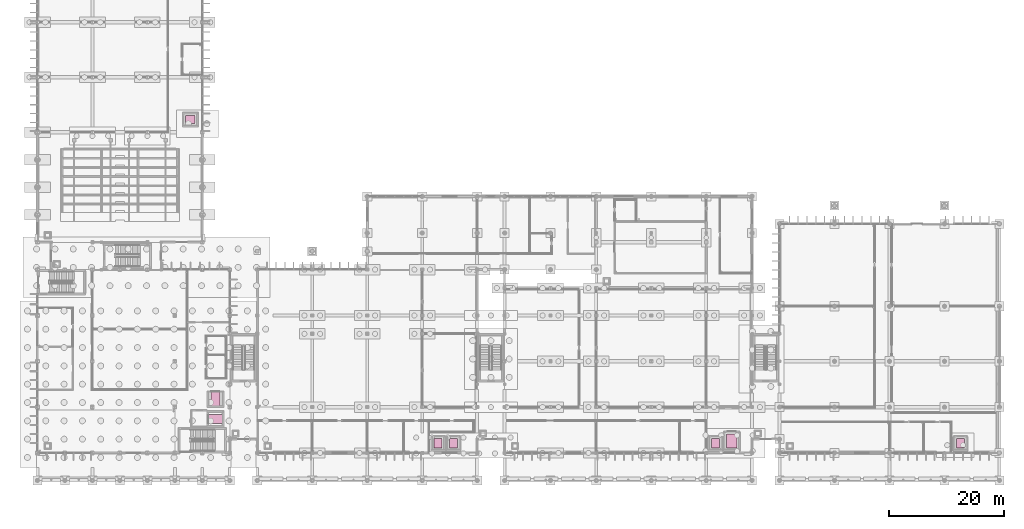
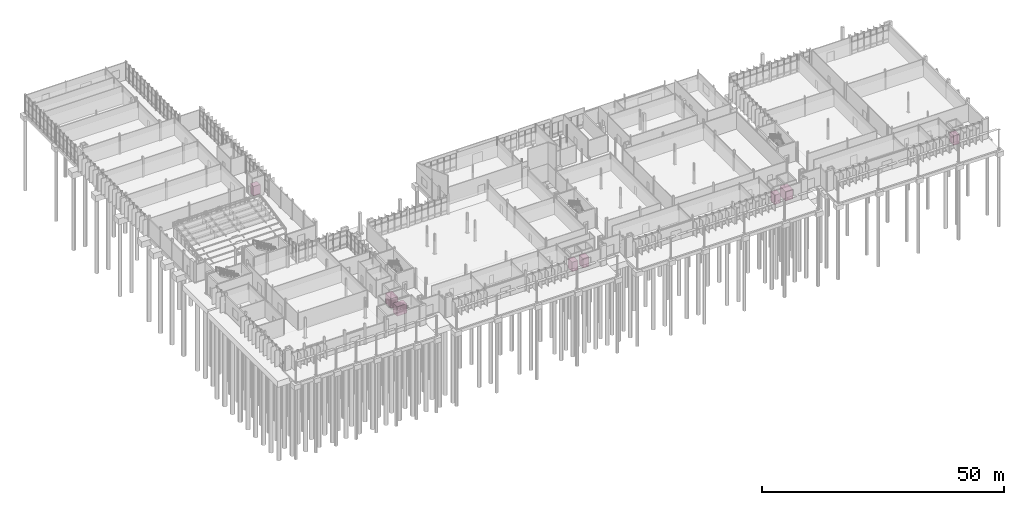
# One storey, part 111 of 111: 8 transport elements.
"""IFC4 building model written with IfcOpenShell, lengths in metres."""

from ifc_helpers import new_model, si_unit, direction, frame, origin, origin_2d, place, context, subcontext, project, spatial, rectangle, extrude, material, type_object, element, save


model = new_model("IFC4")

# Units and contexts
model_context = context("Model", 3, precision=1e-05, world=origin(), true_north=direction((0.0, 1.0)))
body_context = subcontext(model_context, "Body", "Model", "MODEL_VIEW")
ifc_project = project(units=[si_unit("LENGTHUNIT", "METRE"), si_unit("AREAUNIT", "SQUARE_METRE"), si_unit("VOLUMEUNIT", "CUBIC_METRE"), si_unit("PLANEANGLEUNIT", "RADIAN"), si_unit("MASSUNIT", "GRAM", prefix="KILO")], contexts=[model_context])

# Site, building, storey
site_placement = place(None, origin())
site = spatial("IfcSite", under=ifc_project, at=site_placement, CompositionType="ELEMENT")
building_placement = place(site_placement, origin())
building = spatial("IfcBuilding", under=site, at=building_placement, Name="Dunescarp Central Library", CompositionType="ELEMENT")
storey_placement = place(building_placement, origin())
storey = spatial("IfcBuildingStorey", under=building, at=storey_placement, Name="L00", CompositionType="ELEMENT", Elevation=0.0)

# Transport elements
ifc_material = material(Name="Stainless steel Grade 316L", Category="steel")
transport_element_type_1 = type_object("IfcTransportElementType", Name="ARC-LIFT-FFL", PredefinedType="ELEVATOR", material=ifc_material)
transport_element_1_placement = place(storey_placement, frame((31.10009765625, 10.699951171875, 0.0), z_axis=(0.0, 0.0, 1.0), x_axis=(0.0, 1.0, 0.0)))
element("IfcTransportElement", 1, at=transport_element_1_placement, inside=storey, type_object=transport_element_type_1, Name="Firefighting lift FFL-1", PredefinedType="ELEVATOR", context=body_context, shape_type="SweptSolid", body=[
    extrude(rectangle(XDim=1.60009765625, YDim=2.39990234375, at=origin_2d()), origin(), (0.0, 0.0, 1.0), 2.39990234375),
])
transport_element_type_2 = type_object("IfcTransportElementType", Name="ARC-LIFT-GOODS", PredefinedType="ELEVATOR", material=ifc_material)
transport_element_2_placement = place(storey_placement, frame((121.25, 6.89990234375, 0.0), z_axis=(0.0, 0.0, 1.0), x_axis=(1.0, 0.0, 0.0)))
element("IfcTransportElement", 2, at=transport_element_2_placement, inside=storey, type_object=transport_element_type_2, Name="Passenger lift BL-1", PredefinedType="ELEVATOR", context=body_context, shape_type="SweptSolid", body=[
    extrude(rectangle(XDim=1.800048828125, YDim=2.39990234375, at=origin_2d()), origin(), (0.0, 0.0, 1.0), 2.39990234375),
])
transport_element_type_3 = type_object("IfcTransportElementType", Name="ARC-LIFT-PASS", PredefinedType="ELEVATOR", material=ifc_material)
transport_element_3_placement = place(storey_placement, frame((31.10009765625, 14.199951171875, 0.0), z_axis=(0.0, 0.0, 1.0), x_axis=(1.0, 0.0, 0.0)))
element("IfcTransportElement", 3, at=transport_element_3_placement, inside=storey, type_object=transport_element_type_3, Name="Passenger lift SL-1", PredefinedType="ELEVATOR", context=body_context, shape_type="SweptSolid", body=[
    extrude(rectangle(XDim=1.60009765625, YDim=2.39990234375, at=origin_2d()), origin(), (0.0, 0.0, 1.0), 2.39990234375),
])
for number, where, z_axis, x_axis, name in (
    (4, (70.0, 6.5, 0.0), (0.0, 0.0, 1.0), (1.0, 0.0, 0.0), "Passenger lift PL-1"),
    (5, (72.64990234375, 6.5, 0.0), (0.0, 0.0, 1.0), (1.0, 0.0, 0.0), "Passenger lift PL-2"),
    (6, (118.39990234375, 6.5, 0.0), (0.0, 0.0, 1.0), (1.0, 0.0, 0.0), "Passenger lift PL-3"),
    (7, (26.699951171875, 63.0, 0.0), (0.0, 0.0, 1.0), (0.0, 1.0, 0.0), "Passenger lift PL-4"),
    (8, (161.199951171875, 6.5, 0.0), (0.0, 0.0, 1.0), (1.0, 0.0, 0.0), "Passenger lift PL-5"),
):
    element("IfcTransportElement", number, at=place(storey_placement, frame(where, z_axis=z_axis, x_axis=x_axis)), inside=storey, type_object=transport_element_type_3, Name=name, PredefinedType="ELEVATOR", context=body_context, shape_type="SweptSolid", body=[
        extrude(rectangle(XDim=1.39990234375, YDim=1.60009765625, at=origin_2d()), origin(), (0.0, 0.0, 1.0), 2.39990234375),
    ])

save(model, "model.ifc")
